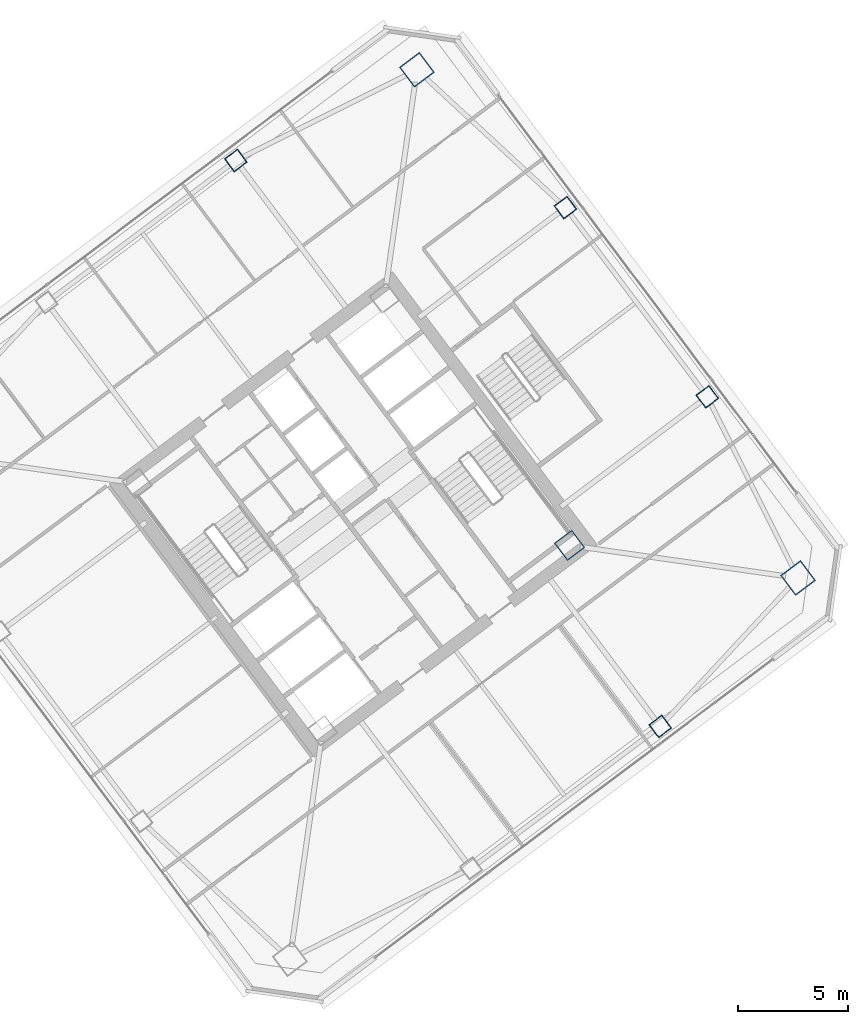
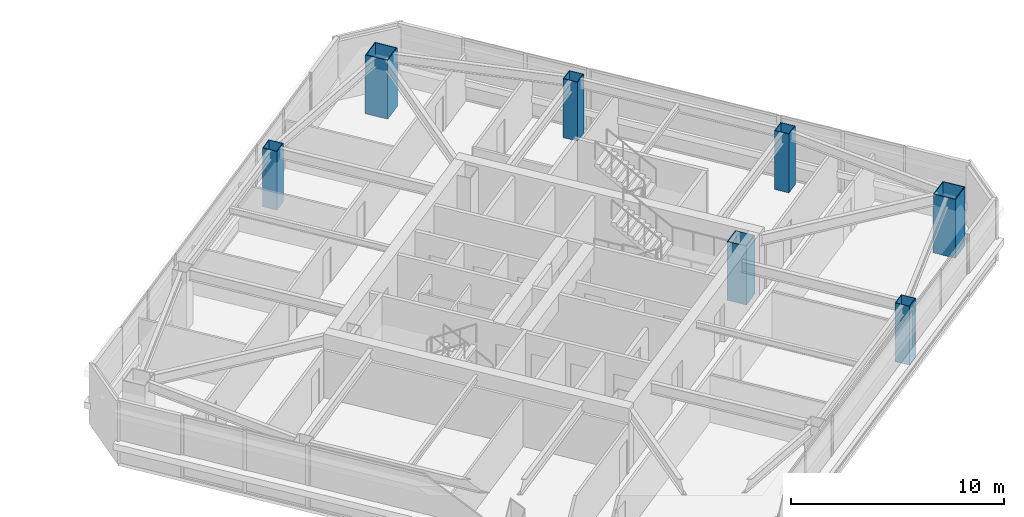
# One storey, part 2 of 43: 7 columns.
"""IFC4 building model written with IfcOpenShell, lengths in metres."""

import ifcopenshell
import ifcopenshell.guid

model = None  # the IFC model being written
_history = None  # IfcOwnerHistory: only IFC2X3 demands one
_inside = {}  # id of a spatial element -> (the spatial element, [elements in it])
_under = {}  # id of a project, library or spatial element -> (it, [spatial elements below it])
_declared = {}  # id of a project -> (the project, [libraries it declares])
_typed = {}  # id of a type object -> (the type object, [elements of that type])
_made_of = {}  # id of a material, layer set ... -> (it, [elements and type objects made of it])


def new_model(schema):
    """Start an empty IFC model of exactly this schema.

    Asked for "IFC4X3", IfcOpenShell would pick the latest addendum, in which some entities
    have other attributes; the version numbers below select the first issue.
    IFC2X3 requires an IfcOwnerHistory on every rooted entity: one is made here for all.
    """
    global model, _history
    if schema == "IFC4X3":
        model = ifcopenshell.file(schema_version=(4, 3, 0, 0))
    else:
        model = ifcopenshell.file(schema=schema)
    _inside.clear()
    _under.clear()
    _declared.clear()
    _typed.clear()
    _made_of.clear()
    _history = None
    if model.schema == "IFC2X3":
        org = make("IfcOrganization", Name="unknown")
        user = make(
            "IfcPersonAndOrganization",
            ThePerson=make("IfcPerson", FamilyName="unknown"),
            TheOrganization=org,
        )
        app = make(
            "IfcApplication",
            ApplicationDeveloper=org,
            Version="unknown",
            ApplicationFullName="unknown",
            ApplicationIdentifier="unknown",
        )
        _history = make(
            "IfcOwnerHistory",
            OwningUser=user,
            OwningApplication=app,
            ChangeAction="ADDED",
            CreationDate=0,
        )
    return model


def make(cls, **values):
    """One entity of the class cls with the attributes given. An attribute that is None is left unset."""
    return model.create_entity(
        cls, **{name: value for name, value in values.items() if value is not None}
    )


def rooted(cls, **values):
    """An entity with a GlobalId (a new one), such as an element, a storey or a relation."""
    return make(cls, GlobalId=ifcopenshell.guid.new(), OwnerHistory=_history, **values)


def si_unit(unit_type, name, prefix=None):
    """IfcSIUnit, for example si_unit("LENGTHUNIT", "METRE", prefix="MILLI")."""
    return make("IfcSIUnit", UnitType=unit_type, Prefix=prefix, Name=name)


def assignment(units):
    """IfcUnitAssignment: the units of a project."""
    return None if units is None else make("IfcUnitAssignment", Units=units)


def point(xyz):
    """IfcCartesianPoint."""
    return None if xyz is None else make("IfcCartesianPoint", Coordinates=xyz)


def direction(xyz):
    """IfcDirection."""
    return None if xyz is None else make("IfcDirection", DirectionRatios=xyz)


def frame(location, z_axis=None, x_axis=None):
    """IfcAxis2Placement3D, a coordinate frame: its origin and axes. An axis left out is left unset."""
    return make(
        "IfcAxis2Placement3D",
        Location=point(location),
        Axis=direction(z_axis),
        RefDirection=direction(x_axis),
    )


def frame_2d(location, x_axis=None):
    """IfcAxis2Placement2D, a coordinate frame in the plane: its origin and x axis."""
    return make(
        "IfcAxis2Placement2D", Location=point(location), RefDirection=direction(x_axis)
    )


def origin():
    """The frame at (0, 0, 0) with its axes left unset."""
    return frame((0.0, 0.0, 0.0))


def origin_2d():
    """The frame at (0, 0) in the plane with its x axis left unset."""
    return frame_2d((0.0, 0.0))


def place(relative_to, where):
    """IfcLocalPlacement: puts the frame where relative to a parent placement (None: the world)."""
    return make(
        "IfcLocalPlacement", PlacementRelTo=relative_to, RelativePlacement=where
    )


def context(
    kind, dimensions, precision=None, world=None, true_north=None, identifier=None
):
    """IfcGeometricRepresentationContext, for example the 3D "Model" context."""
    return make(
        "IfcGeometricRepresentationContext",
        ContextIdentifier=identifier,
        ContextType=kind,
        CoordinateSpaceDimension=dimensions,
        Precision=precision,
        WorldCoordinateSystem=world,
        TrueNorth=true_north,
    )


def subcontext(parent, identifier, kind, view, scale=None):
    """IfcGeometricRepresentationSubContext, for example "Body" below "Model"."""
    return make(
        "IfcGeometricRepresentationSubContext",
        ContextIdentifier=identifier,
        ContextType=kind,
        ParentContext=parent,
        TargetScale=scale,
        TargetView=view,
    )


def project(units=None, contexts=None):
    """IfcProject with its units and contexts."""
    return rooted(
        "IfcProject",
        Name="project",
        RepresentationContexts=contexts,
        UnitsInContext=assignment(units),
    )


def spatial(cls, under=None, at=None, **own):
    """A site, building, storey or space (cls), placed at a placement, below another one or the project."""
    s = rooted(cls, ObjectPlacement=at, **own)
    if under is not None:
        _under.setdefault(under.id(), (under, []))[1].append(s)
    return s


def profile(cls, at=None, kind="AREA", **sizes):
    """A parametric profile (cls). Its sizes go by their IFC names, for example OverallWidth=200.0."""
    return make(cls, ProfileType=kind, Position=at, **sizes)


def hollow_rectangle(**sizes):
    """IfcRectangleHollowProfileDef."""
    return profile("IfcRectangleHollowProfileDef", **sizes)


def extrude(swept, where, along, depth):
    """IfcExtrudedAreaSolid: the profile swept, set in the frame where, extruded along a direction by depth."""
    return make(
        "IfcExtrudedAreaSolid",
        SweptArea=swept,
        Position=where,
        ExtrudedDirection=direction(along),
        Depth=depth,
    )


def shape(context_of_items, identifier, shape_type, items):
    """IfcShapeRepresentation: the items that make up one representation, for example the "Body"."""
    return make(
        "IfcShapeRepresentation",
        ContextOfItems=context_of_items,
        RepresentationIdentifier=identifier,
        RepresentationType=shape_type,
        Items=items,
    )


def material(Name=None, Category=None):
    """IfcMaterial."""
    return make("IfcMaterial", Name=Name, Category=Category)


def material_profile(
    of_material, cross_section, Name=None, Category=None, Priority=None
):
    """IfcMaterialProfile: a cross section and its material."""
    return make(
        "IfcMaterialProfile",
        Name=Name,
        Material=of_material,
        Profile=cross_section,
        Priority=Priority,
        Category=Category,
    )


def profile_set(profiles, Name=None, composite=None):
    """IfcMaterialProfileSet."""
    return make(
        "IfcMaterialProfileSet",
        Name=Name,
        MaterialProfiles=profiles,
        CompositeProfile=composite,
    )


def made_of(thing, what):
    """Note that an element or type object is made of a material, layer set ...; save() writes the relation."""
    if what is not None:
        _made_of.setdefault(what.id(), (what, []))[1].append(thing)
    return thing


def type_object(cls, material=None, **own):
    """A type object (cls), such as IfcWallType, which elements share."""
    return made_of(rooted(cls, **own), material)


def element(
    cls,
    number,
    at=None,
    inside=None,
    cuts=None,
    type_object=None,
    material=None,
    context=None,
    identifier="Body",
    shape_type=None,
    held_by="IfcProductDefinitionShape",
    body=None,
    shapes=None,
    **own,
):
    """One element of the class cls, such as IfcWall. Its Tag is "e" and its number.

    at: its placement. inside: the storey or other place that contains it. cuts: it is an
    opening in that element (IfcRelVoidsElement). A single representation is given by context,
    identifier, shape_type and body (its items); several are given by shapes. held_by: the class
    of the entity that holds the representations. save() writes the other relations.
    """
    e = rooted(cls, Tag="e%d" % number, ObjectPlacement=at, **own)
    if body is not None:
        shapes = [shape(context, identifier, shape_type, body)]
    if shapes is not None:
        e.Representation = make(held_by, Representations=shapes)
    if inside is not None:
        _inside.setdefault(inside.id(), (inside, []))[1].append(e)
    if cuts is not None:
        rooted(
            "IfcRelVoidsElement", RelatingBuildingElement=cuts, RelatedOpeningElement=e
        )
    if type_object is not None:
        _typed.setdefault(type_object.id(), (type_object, []))[1].append(e)
    return made_of(e, material)


def aggregate(whole, parts):
    """IfcRelAggregates: a whole, such as a stair, and the parts it consists of."""
    return rooted("IfcRelAggregates", RelatingObject=whole, RelatedObjects=parts)


def save(model, path):
    """Write the relations noted so far, then the file.

    IfcRelAggregates (storeys below a building ...), IfcRelContainedInSpatialStructure (elements
    in a storey), IfcRelDefinesByType, IfcRelAssociatesMaterial and IfcRelDeclares: one each for
    every whole, place, type object, material and project.
    """
    for whole, parts in _under.values():
        aggregate(whole, parts)
    for where, things in _inside.values():
        rooted(
            "IfcRelContainedInSpatialStructure",
            RelatedElements=things,
            RelatingStructure=where,
        )
    for kind, things in _typed.values():
        rooted("IfcRelDefinesByType", RelatedObjects=things, RelatingType=kind)
    for what, things in _made_of.values():
        rooted("IfcRelAssociatesMaterial", RelatedObjects=things, RelatingMaterial=what)
    for by, libraries in _declared.values():
        rooted("IfcRelDeclares", RelatingContext=by, RelatedDefinitions=libraries)
    model.write(path)


model = new_model("IFC4")

# Units and contexts
model_context = context("Model", 3, precision=1e-05, world=origin(), true_north=direction((0.0, 1.0)))
body_context = subcontext(model_context, "Body", "Model", "MODEL_VIEW")
ifc_project = project(units=[si_unit("LENGTHUNIT", "METRE"), si_unit("AREAUNIT", "SQUARE_METRE"), si_unit("VOLUMEUNIT", "CUBIC_METRE"), si_unit("PLANEANGLEUNIT", "RADIAN"), si_unit("MASSUNIT", "GRAM", prefix="KILO")], contexts=[model_context])

# Site, building, storey
site_placement = place(None, origin())
site = spatial("IfcSite", under=ifc_project, at=site_placement, CompositionType="ELEMENT")
building_placement = place(site_placement, origin())
building = spatial("IfcBuilding", under=site, at=building_placement, Name="Tashvorn Skyway Center", CompositionType="ELEMENT")
storey_placement = place(building_placement, frame((0.0, 0.0, 160.550048828125)))
storey = spatial("IfcBuildingStorey", under=building, at=storey_placement, Name="L43", CompositionType="ELEMENT", Elevation=160.550048828125)

# Columns
ifc_material = material(Name="Steel ASTM A572 Grade 50", Category="steel")
ifc_material_profile_1 = material_profile(ifc_material, hollow_rectangle(XDim=1.0, YDim=1.0, WallThickness=0.0400390625, at=origin_2d()), Name="BOX1000x1000x40")
ifc_profile_set_1 = profile_set([ifc_material_profile_1], Name="Steel ASTM A572 Grade 50")
column_type_1 = type_object("IfcColumnType", Name="COL-BOX1000x1000x40", PredefinedType="COLUMN", material=ifc_profile_set_1)
column_placement = place(storey_placement, frame((123.8701171875, 30.590087890625, 0.0), z_axis=(0.0, 0.0, 1.0), x_axis=(0.799999996291, 0.600000004945, 0.0)))
element("IfcColumn", 1, at=column_placement, inside=storey, type_object=column_type_1, Name="Tower 2 L43 Core Corner Column CC-SE", PredefinedType="COLUMN", context=body_context, shape_type="SweptSolid", body=[
    extrude(hollow_rectangle(XDim=1.0, YDim=1.0, WallThickness=0.0400390625, at=origin_2d()), origin(), (0.0, 0.0, 1.0), 3.369873046875),
])
ifc_material_profile_2 = material_profile(ifc_material, hollow_rectangle(XDim=1.14990234375, YDim=1.14990234375, WallThickness=0.044921875, at=origin_2d()), Name="BOX1150x1150x45")
ifc_profile_set_2 = profile_set([ifc_material_profile_2], Name="Steel ASTM A572 Grade 50")
column_type_2 = type_object("IfcColumnType", Name="COL-BOX1150x1150x45", PredefinedType="COLUMN", material=ifc_profile_set_2)
for number, where, z_axis, x_axis, name in (
    (2, (134.300048828125, 29.10009765625, 0.0), (0.0, 0.0, 1.0), (0.799999996291, 0.600000004945, 0.0), "Tower 2 L43 Mega-Column MC-SE"),
    (3, (116.89990234375, 52.300048828125, 0.0), (0.0, 0.0, 1.0), (0.799999996291, 0.600000004945, 0.0), "Tower 2 L43 Mega-Column MC-NE"),
):
    element("IfcColumn", number, at=place(storey_placement, frame(where, z_axis=z_axis, x_axis=x_axis)), inside=storey, type_object=column_type_2, Name=name, PredefinedType="COLUMN", context=body_context, shape_type="SweptSolid", body=[
        extrude(hollow_rectangle(XDim=1.14990234375, YDim=1.14990234375, WallThickness=0.044921875, at=origin_2d()), origin(), (0.0, 0.0, 1.0), 3.369873046875),
    ])
ifc_material_profile_3 = material_profile(ifc_material, hollow_rectangle(XDim=0.75, YDim=0.75, WallThickness=0.031982421875, at=origin_2d()), Name="BOX750x750x32")
ifc_profile_set_3 = profile_set([ifc_material_profile_3], Name="Steel ASTM A572 Grade 50")
column_type_3 = type_object("IfcColumnType", Name="COL-BOX750x750x32", PredefinedType="COLUMN", material=ifc_profile_set_3)
for number, where, z_axis, x_axis, name in (
    (4, (128.010009765625, 22.320068359375, 0.0), (0.0, 0.0, 1.0), (0.799999996291, 0.600000004945, 0.0), "Tower 2 L43 Perimeter Column FC-S2"),
    (5, (130.159912109375, 37.3701171875, 0.0), (0.0, 0.0, 1.0), (0.799999996291, 0.600000004945, 0.0), "Tower 2 L43 Perimeter Column FC-E1"),
    (6, (123.679931640625, 46.010009765625, 0.0), (0.0, 0.0, 1.0), (0.799999996291, 0.600000004945, 0.0), "Tower 2 L43 Perimeter Column FC-E2"),
    (7, (108.6298828125, 48.159912109375, 0.0), (0.0, 0.0, 1.0), (0.799999996291, 0.600000004945, 0.0), "Tower 2 L43 Perimeter Column FC-N1"),
):
    element("IfcColumn", number, at=place(storey_placement, frame(where, z_axis=z_axis, x_axis=x_axis)), inside=storey, type_object=column_type_3, Name=name, PredefinedType="COLUMN", context=body_context, shape_type="SweptSolid", body=[
        extrude(hollow_rectangle(XDim=0.75, YDim=0.75, WallThickness=0.031982421875, at=origin_2d()), origin(), (0.0, 0.0, 1.0), 3.369873046875),
    ])

save(model, "model.ifc")
